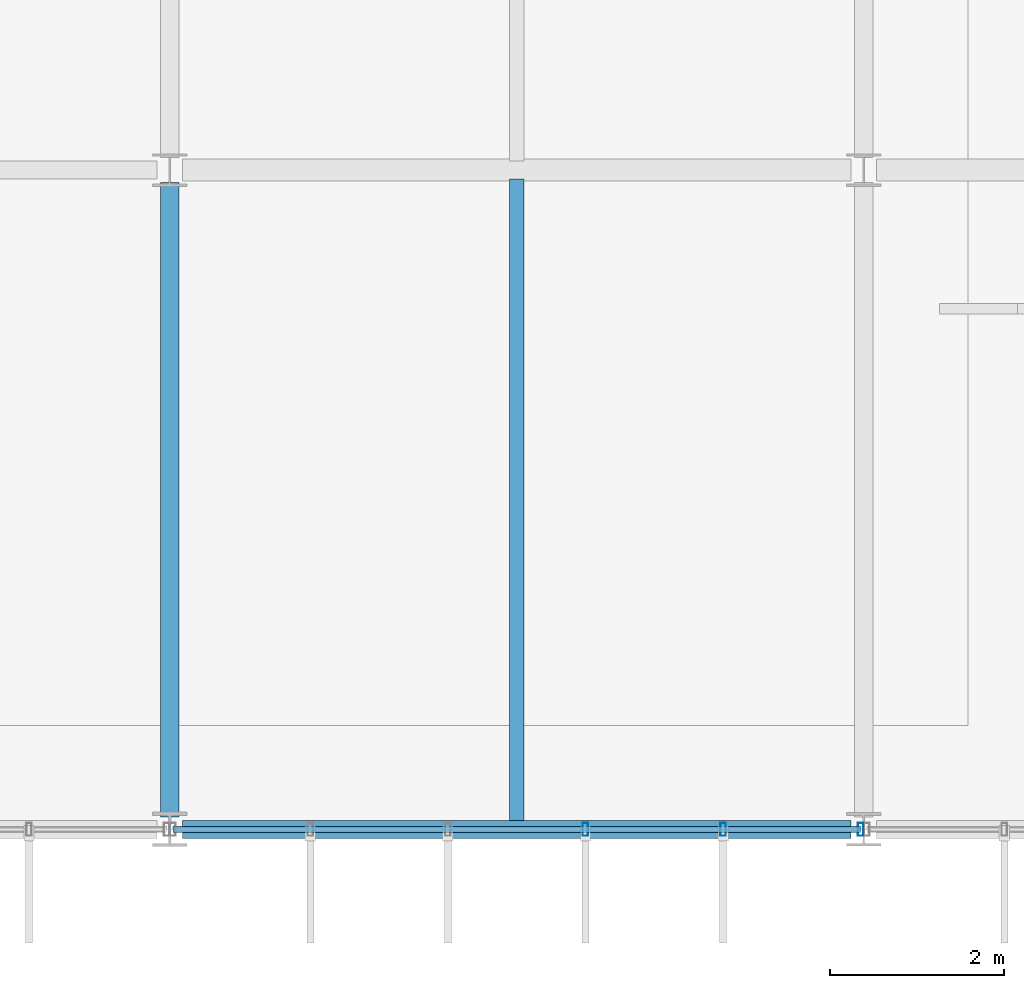
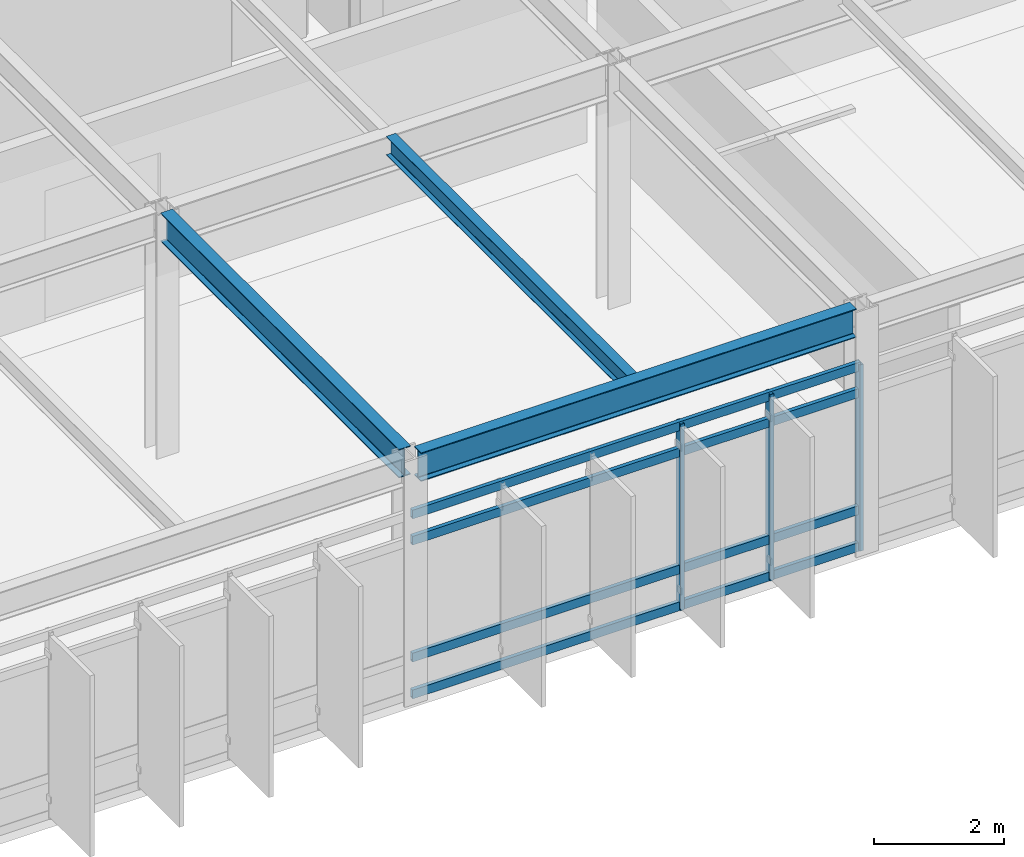
# One storey, part 20 of 104: 7 members, 3 beams, 1 element without a shape of its own.
"""IFC4 building model written with IfcOpenShell, lengths in metres."""

from ifc_helpers import new_model, si_unit, direction, frame, origin, origin_2d, place, context, subcontext, project, spatial, hollow_rectangle, i_section, extrude, material, material_profile, profile_set, type_object, element, aggregate, save


model = new_model("IFC4")

# Units and contexts
model_context = context("Model", 3, precision=1e-05, world=origin(), true_north=direction((0.0, 1.0)))
body_context = subcontext(model_context, "Body", "Model", "MODEL_VIEW")
ifc_project = project(units=[si_unit("LENGTHUNIT", "METRE"), si_unit("AREAUNIT", "SQUARE_METRE"), si_unit("VOLUMEUNIT", "CUBIC_METRE"), si_unit("PLANEANGLEUNIT", "RADIAN"), si_unit("MASSUNIT", "GRAM", prefix="KILO")], contexts=[model_context])

# Site, building, storey
site_placement = place(None, origin())
site = spatial("IfcSite", under=ifc_project, at=site_placement, CompositionType="ELEMENT")
building_placement = place(site_placement, origin())
building = spatial("IfcBuilding", under=site, at=building_placement, Name="Zulena Civic Courthouse", CompositionType="ELEMENT")
storey_placement = place(building_placement, frame((0.0, 0.0, 15.60009765625)))
storey = spatial("IfcBuildingStorey", under=building, at=storey_placement, Name="L03", CompositionType="ELEMENT", Elevation=15.60009765625)

# Curtain wall, members
ifc_material_1 = material(Name="Double-silver low-E laminated solar-control glass", Category="glass")
curtain_wall_type = type_object("IfcCurtainWallType", Name="CW_7928x3490", PredefinedType="USERDEFINED", material=ifc_material_1)
curtain_wall_placement = place(storey_placement, origin())
curtain_wall = element("IfcCurtainWall", 1, at=curtain_wall_placement, inside=storey, type_object=curtain_wall_type, Name="cw:V2:L03:3:6", ObjectType="UNITISED CURTAIN WALL", PredefinedType="USERDEFINED")
ifc_material_2 = material(Name="Bronze anodised thermally broken aluminium AA6063-T6", Category="aluminium")
ifc_material_profile_1 = material_profile(ifc_material_2, hollow_rectangle(XDim=0.06494140625, YDim=0.14990234375, WallThickness=0.00390625, at=origin_2d()), Name="CWM150X65X4")
ifc_profile_set_1 = profile_set([ifc_material_profile_1], Name="Bronze anodised thermally broken aluminium AA6063-T6")
member_type_1 = type_object("IfcMemberType", Name="CWMullion_150x65", PredefinedType="MULLION", material=ifc_profile_set_1)
member_1_placement = place(storey_placement, frame((19.964111328125, 0.0, 0.0), z_axis=(0.0, 0.0, 1.0), x_axis=(1.0, 0.0, 0.0)))
member_1 = element("IfcMember", 2, at=member_1_placement, type_object=member_type_1, Name="cw:V2:L03:3:6:mull:0", PredefinedType="MULLION", context=body_context, shape_type="SweptSolid", body=[
    extrude(hollow_rectangle(XDim=0.06494140625, YDim=0.14990234375, WallThickness=0.00390625, at=origin_2d()), origin(), (0.0, 0.0, 1.0), 3.489990234375),
])
member_2_placement = place(storey_placement, frame((18.37841796875, 0.0, 0.0), z_axis=(0.0, 0.0, 1.0), x_axis=(1.0, 0.0, 0.0)))
member_2 = element("IfcMember", 3, at=member_2_placement, type_object=member_type_1, Name="cw:V2:L03:3:6:mull:1", PredefinedType="MULLION", context=body_context, shape_type="SweptSolid", body=[
    extrude(hollow_rectangle(XDim=0.06494140625, YDim=0.14990234375, WallThickness=0.00390625, at=origin_2d()), origin(), (0.0, 0.0, 1.0), 3.489990234375),
])
member_3_placement = place(storey_placement, frame((16.792724609375, 0.0, 0.0), z_axis=(0.0, 0.0, 1.0), x_axis=(1.0, 0.0, 0.0)))
member_3 = element("IfcMember", 4, at=member_3_placement, type_object=member_type_1, Name="cw:V2:L03:3:6:mull:2", PredefinedType="MULLION", context=body_context, shape_type="SweptSolid", body=[
    extrude(hollow_rectangle(XDim=0.06494140625, YDim=0.14990234375, WallThickness=0.00390625, at=origin_2d()), origin(), (0.0, 0.0, 1.0), 3.489990234375),
])
ifc_material_profile_2 = material_profile(ifc_material_2, hollow_rectangle(XDim=0.070068359375, YDim=0.1650390625, WallThickness=0.00390625, at=origin_2d()), Name="CWT165X70X4")
ifc_profile_set_2 = profile_set([ifc_material_profile_2], Name="Bronze anodised thermally broken aluminium AA6063-T6")
member_type_2 = type_object("IfcMemberType", Name="CWTransom_165x70", PredefinedType="USERDEFINED", material=ifc_profile_set_2)
member_4_placement = place(storey_placement, frame((19.964111328125, 0.0, 0.059814453125), z_axis=(-1.0, 0.0, 0.0), x_axis=(0.0, -1.0, 0.0)))
member_4 = element("IfcMember", 5, at=member_4_placement, type_object=member_type_2, Name="cw:V2:L03:3:6:tran:0", ObjectType="TRANSOM", PredefinedType="USERDEFINED", context=body_context, shape_type="SweptSolid", body=[
    extrude(hollow_rectangle(XDim=0.070068359375, YDim=0.1650390625, WallThickness=0.00390625, at=origin_2d()), origin(), (0.0, 0.0, 1.0), 7.92822265625),
])
member_5_placement = place(storey_placement, frame((19.964111328125, 0.0, 0.75), z_axis=(-1.0, 0.0, 0.0), x_axis=(0.0, -1.0, 0.0)))
member_5 = element("IfcMember", 6, at=member_5_placement, type_object=member_type_2, Name="cw:V2:L03:3:6:tran:1", ObjectType="TRANSOM", PredefinedType="USERDEFINED", context=body_context, shape_type="SweptSolid", body=[
    extrude(hollow_rectangle(XDim=0.070068359375, YDim=0.1650390625, WallThickness=0.00390625, at=origin_2d()), origin(), (0.0, 0.0, 1.0), 7.92822265625),
])
member_6_placement = place(storey_placement, frame((19.964111328125, 0.0, 2.93994140625), z_axis=(-1.0, 0.0, 0.0), x_axis=(0.0, -1.0, 0.0)))
member_6 = element("IfcMember", 7, at=member_6_placement, type_object=member_type_2, Name="cw:V2:L03:3:6:tran:2", ObjectType="TRANSOM", PredefinedType="USERDEFINED", context=body_context, shape_type="SweptSolid", body=[
    extrude(hollow_rectangle(XDim=0.070068359375, YDim=0.1650390625, WallThickness=0.00390625, at=origin_2d()), origin(), (0.0, 0.0, 1.0), 7.92822265625),
])
member_7_placement = place(storey_placement, frame((19.964111328125, 0.0, 3.429931640625), z_axis=(-1.0, 0.0, 0.0), x_axis=(0.0, -1.0, 0.0)))
member_7 = element("IfcMember", 8, at=member_7_placement, type_object=member_type_2, Name="cw:V2:L03:3:6:tran:3", ObjectType="TRANSOM", PredefinedType="USERDEFINED", context=body_context, shape_type="SweptSolid", body=[
    extrude(hollow_rectangle(XDim=0.070068359375, YDim=0.1650390625, WallThickness=0.00390625, at=origin_2d()), origin(), (0.0, 0.0, 1.0), 7.92822265625),
])
aggregate(curtain_wall, [member_1, member_2, member_3, member_4, member_5, member_6, member_7])

# Beams
ifc_material_3 = material(Name="Steel ASTM A992 Grade 50", Category="steel")
ifc_material_profile_3 = material_profile(ifc_material_3, i_section(OverallWidth=0.1708984375, OverallDepth=0.35205078125, WebThickness=0.0068359375, FlangeThickness=0.009765625, FilletRadius=0.01025390625, at=origin_2d()), Name="W14X30")
ifc_profile_set_3 = profile_set([ifc_material_profile_3], Name="Steel ASTM A992 Grade 50")
beam_type_1 = type_object("IfcBeamType", Name="Joist_W14X30", PredefinedType="JOIST", material=ifc_profile_set_3)
beam_1_placement = place(storey_placement, frame((16.0, 0.10498046875, 4.413818359375), z_axis=(0.0, 1.0, 0.0), x_axis=(-1.0, 0.0, 0.0)))
element("IfcBeam", 9, at=beam_1_placement, inside=storey, type_object=beam_type_1, Name="joist:V2:L03:16.00:0.0_7.6", PredefinedType="JOIST", context=body_context, shape_type="SweptSolid", body=[
    extrude(i_section(OverallWidth=0.1708984375, OverallDepth=0.35205078125, WebThickness=0.0068359375, FlangeThickness=0.009765625, FilletRadius=0.01025390625, at=origin_2d()), origin(), (0.0, 0.0, 1.0), 7.39013671875),
])
ifc_material_profile_4 = material_profile(ifc_material_3, i_section(OverallWidth=0.2099609375, OverallDepth=0.537109375, WebThickness=0.010986328125, FlangeThickness=0.017333984375, FilletRadius=0.0126953125, at=origin_2d()), Name="W21X68")
ifc_profile_set_4 = profile_set([ifc_material_profile_4], Name="Steel ASTM A992 Grade 50")
beam_type_2 = type_object("IfcBeamType", Name="Spandrel_W21X68", PredefinedType="SPANDREL", material=ifc_profile_set_4)
beam_2_placement = place(storey_placement, frame((12.14501953125, 0.0, 4.3212890625), z_axis=(1.0, 0.0, 0.0), x_axis=(0.0, 1.0, 0.0)))
element("IfcBeam", 10, at=beam_2_placement, inside=storey, type_object=beam_type_2, Name="beam:X:V2:L03:0.0:12.0_20.0", PredefinedType="SPANDREL", context=body_context, shape_type="SweptSolid", body=[
    extrude(i_section(OverallWidth=0.2099609375, OverallDepth=0.537109375, WebThickness=0.010986328125, FlangeThickness=0.017333984375, FilletRadius=0.0126953125, at=origin_2d()), origin(), (0.0, 0.0, 1.0), 7.7099609375),
])
beam_3_placement = place(storey_placement, frame((12.0, 0.14501953125, 4.3212890625), z_axis=(0.0, 1.0, 0.0), x_axis=(-1.0, 0.0, 0.0)))
element("IfcBeam", 11, at=beam_3_placement, inside=storey, type_object=beam_type_2, Name="beam:Y:V2:L03:12.0:0.0_7.6", PredefinedType="SPANDREL", context=body_context, shape_type="SweptSolid", body=[
    extrude(i_section(OverallWidth=0.2099609375, OverallDepth=0.537109375, WebThickness=0.010986328125, FlangeThickness=0.017333984375, FilletRadius=0.0126953125, at=origin_2d()), origin(), (0.0, 0.0, 1.0), 7.31005859375),
])

save(model, "model.ifc")
